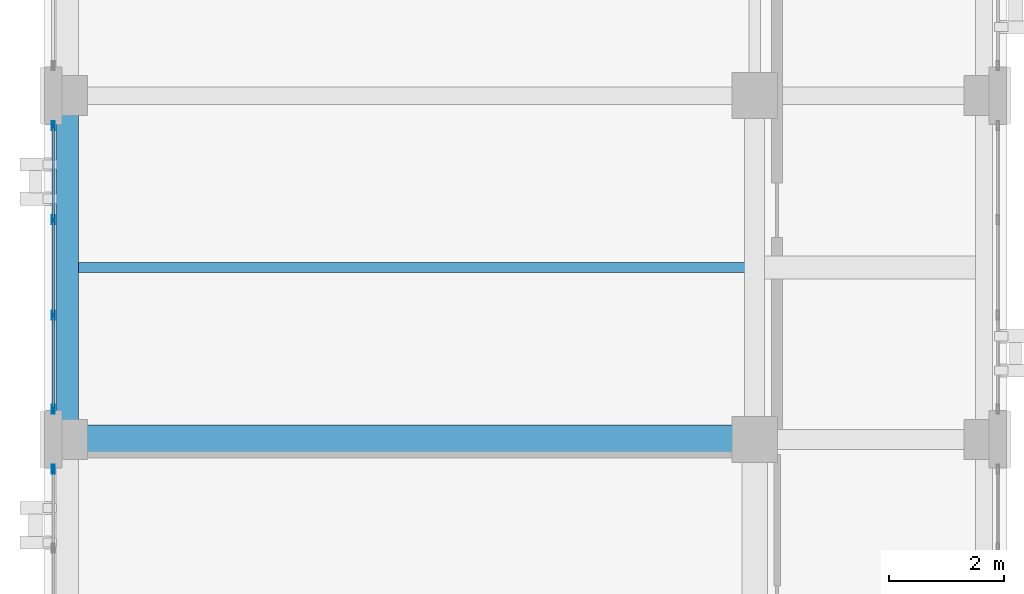
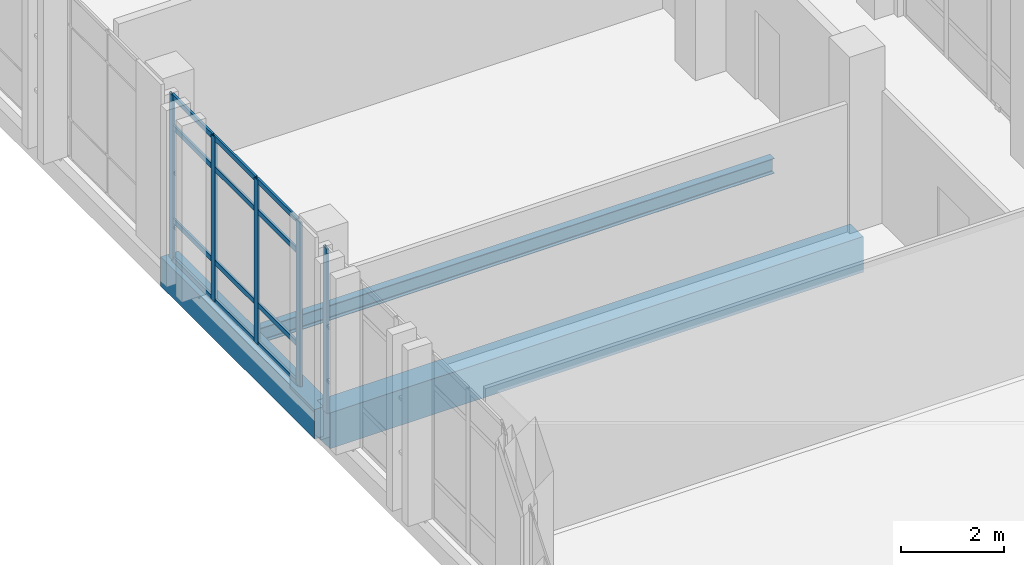
# One storey, part 72 of 193: 17 members, 3 beams, 2 elements without a shape of their own.
"""IFC4 building model written with IfcOpenShell, lengths in metres."""

from ifc_helpers import new_model, si_unit, direction, frame, origin, origin_2d, place, context, subcontext, project, spatial, rectangle, hollow_rectangle, i_section, extrude, material, layer, layer_set, material_profile, profile_set, type_object, element, aggregate, save


model = new_model("IFC4")

# Units and contexts
model_context = context("Model", 3, precision=1e-05, world=origin(), true_north=direction((0.0, 1.0)))
body_context = subcontext(model_context, "Body", "Model", "MODEL_VIEW")
ifc_project = project(units=[si_unit("LENGTHUNIT", "METRE"), si_unit("AREAUNIT", "SQUARE_METRE"), si_unit("VOLUMEUNIT", "CUBIC_METRE"), si_unit("PLANEANGLEUNIT", "RADIAN"), si_unit("MASSUNIT", "GRAM", prefix="KILO")], contexts=[model_context])

# Site, building, storey
site_placement = place(None, origin())
site = spatial("IfcSite", under=ifc_project, at=site_placement, CompositionType="ELEMENT")
building_placement = place(site_placement, origin())
building = spatial("IfcBuilding", under=site, at=building_placement, Name="Qalavern Law Courts", CompositionType="ELEMENT")
storey_placement = place(building_placement, frame((0.0, 0.0, 10.199951171875)))
storey = spatial("IfcBuildingStorey", under=building, at=storey_placement, Name="L02", CompositionType="ELEMENT", Elevation=10.199951171875)

# Curtain wall, members
ifc_material_1 = material(Name="Anodised aluminium and insulated glazing", Category="aluminium")
ifc_layer = layer(ifc_material_1, 0.172119140625)
ifc_layer_set = layer_set([ifc_layer], Name="Anodised aluminium and insulated glazing")
curtain_wall_type = type_object("IfcCurtainWallType", Name="ENV-CW-COURT", PredefinedType="USERDEFINED", material=ifc_layer_set)
curtain_wall_1_placement = place(storey_placement, origin())
curtain_wall_1 = element("IfcCurtainWall", 1, at=curtain_wall_1_placement, inside=storey, type_object=curtain_wall_type, Name="V3 unitised curtain wall L02 west 3", ObjectType="UNITISED CURTAIN WALL", PredefinedType="USERDEFINED")
ifc_material_2 = material(Name="Anodised aluminium", Category="aluminium")
ifc_material_profile_1 = material_profile(ifc_material_2, hollow_rectangle(XDim=0.048095703125, YDim=0.159912109375, WallThickness=0.00390625, at=origin_2d()), Name="ALU MULLION 48x160")
ifc_profile_set_1 = profile_set([ifc_material_profile_1], Name="Anodised aluminium")
member_type_1 = type_object("IfcMemberType", Name="ENV-CWM-48x160", PredefinedType="MULLION", material=ifc_profile_set_1)
member_1_placement = place(storey_placement, frame((2.155029296875, 78.8759765625, 0.0), z_axis=(0.0, 0.0, 1.0), x_axis=(1.0, 0.0, 0.0)))
member_1 = element("IfcMember", 2, at=member_1_placement, type_object=member_type_1, Name="CW-03 mullion 1", PredefinedType="MULLION", context=body_context, shape_type="SweptSolid", body=[
    extrude(hollow_rectangle(XDim=0.048095703125, YDim=0.159912109375, WallThickness=0.00390625, at=origin_2d()), origin(), (0.0, 0.0, 1.0), 3.9150390625),
])
member_2_placement = place(storey_placement, frame((2.155029296875, 77.2333984375, 0.0), z_axis=(0.0, 0.0, 1.0), x_axis=(1.0, 0.0, 0.0)))
member_2 = element("IfcMember", 3, at=member_2_placement, type_object=member_type_1, Name="CW-03 mullion 2", PredefinedType="MULLION", context=body_context, shape_type="SweptSolid", body=[
    extrude(hollow_rectangle(XDim=0.048095703125, YDim=0.159912109375, WallThickness=0.00390625, at=origin_2d()), origin(), (0.0, 0.0, 1.0), 3.9150390625),
])
member_3_placement = place(storey_placement, frame((2.155029296875, 75.566650390625, 0.0), z_axis=(0.0, 0.0, 1.0), x_axis=(1.0, 0.0, 0.0)))
member_3 = element("IfcMember", 4, at=member_3_placement, type_object=member_type_1, Name="CW-03 mullion 3", PredefinedType="MULLION", context=body_context, shape_type="SweptSolid", body=[
    extrude(hollow_rectangle(XDim=0.048095703125, YDim=0.159912109375, WallThickness=0.00390625, at=origin_2d()), origin(), (0.0, 0.0, 1.0), 3.9150390625),
])
member_4_placement = place(storey_placement, frame((2.155029296875, 73.924072265625, 0.0), z_axis=(0.0, 0.0, 1.0), x_axis=(1.0, 0.0, 0.0)))
member_4 = element("IfcMember", 5, at=member_4_placement, type_object=member_type_1, Name="CW-03 mullion 4", PredefinedType="MULLION", context=body_context, shape_type="SweptSolid", body=[
    extrude(hollow_rectangle(XDim=0.048095703125, YDim=0.159912109375, WallThickness=0.00390625, at=origin_2d()), origin(), (0.0, 0.0, 1.0), 3.9150390625),
])

# Curtain wall, member
curtain_wall_2_placement = place(storey_placement, origin())
curtain_wall_2 = element("IfcCurtainWall", 6, at=curtain_wall_2_placement, inside=storey, type_object=curtain_wall_type, Name="V3 unitised curtain wall L02 west 4", ObjectType="UNITISED CURTAIN WALL", PredefinedType="USERDEFINED")
member_5_placement = place(storey_placement, frame((2.155029296875, 72.8759765625, 0.0), z_axis=(0.0, 0.0, 1.0), x_axis=(1.0, 0.0, 0.0)))
member_5 = element("IfcMember", 7, at=member_5_placement, type_object=member_type_1, Name="CW-03 mullion 1", PredefinedType="MULLION", context=body_context, shape_type="SweptSolid", body=[
    extrude(hollow_rectangle(XDim=0.048095703125, YDim=0.159912109375, WallThickness=0.00390625, at=origin_2d()), origin(), (0.0, 0.0, 1.0), 3.9150390625),
])
aggregate(curtain_wall_2, [member_5])

# Member
ifc_material_profile_2 = material_profile(ifc_material_2, hollow_rectangle(XDim=0.048095703125, YDim=0.1201171875, WallThickness=0.00390625, at=origin_2d()), Name="ALU TRANSOM 48x120")
ifc_profile_set_2 = profile_set([ifc_material_profile_2], Name="Anodised aluminium")
member_type_2 = type_object("IfcMemberType", Name="ENV-CWT-48x120", PredefinedType="USERDEFINED", material=ifc_profile_set_2)
member_6_placement = place(storey_placement, frame((2.155029296875, 78.85205078125, 0.024169921875), z_axis=(0.0, -1.0, 0.0), x_axis=(1.0, 0.0, 0.0)))
member_6 = element("IfcMember", 8, at=member_6_placement, type_object=member_type_2, Name="CW-03 transom 1.1", ObjectType="TRANSOM", PredefinedType="USERDEFINED", context=body_context, shape_type="SweptSolid", body=[
    extrude(hollow_rectangle(XDim=0.048095703125, YDim=0.1201171875, WallThickness=0.00390625, at=origin_2d()), origin(), (0.0, 0.0, 1.0), 1.5947265625),
])

member_7_placement = place(storey_placement, frame((2.155029296875, 78.85205078125, 0.949951171875), z_axis=(0.0, -1.0, 0.0), x_axis=(1.0, 0.0, 0.0)))
member_7 = element("IfcMember", 9, at=member_7_placement, type_object=member_type_2, Name="CW-03 transom 1.2", ObjectType="TRANSOM", PredefinedType="USERDEFINED", context=body_context, shape_type="SweptSolid", body=[
    extrude(hollow_rectangle(XDim=0.048095703125, YDim=0.1201171875, WallThickness=0.00390625, at=origin_2d()), origin(), (0.0, 0.0, 1.0), 1.5947265625),
])

member_8_placement = place(storey_placement, frame((2.155029296875, 78.85205078125, 3.1650390625), z_axis=(0.0, -1.0, 0.0), x_axis=(1.0, 0.0, 0.0)))
member_8 = element("IfcMember", 10, at=member_8_placement, type_object=member_type_2, Name="CW-03 transom 1.3", ObjectType="TRANSOM", PredefinedType="USERDEFINED", context=body_context, shape_type="SweptSolid", body=[
    extrude(hollow_rectangle(XDim=0.048095703125, YDim=0.1201171875, WallThickness=0.00390625, at=origin_2d()), origin(), (0.0, 0.0, 1.0), 1.5947265625),
])

member_9_placement = place(storey_placement, frame((2.155029296875, 78.85205078125, 3.89111328125), z_axis=(0.0, -1.0, 0.0), x_axis=(1.0, 0.0, 0.0)))
member_9 = element("IfcMember", 11, at=member_9_placement, type_object=member_type_2, Name="CW-03 transom 1.4", ObjectType="TRANSOM", PredefinedType="USERDEFINED", context=body_context, shape_type="SweptSolid", body=[
    extrude(hollow_rectangle(XDim=0.048095703125, YDim=0.1201171875, WallThickness=0.00390625, at=origin_2d()), origin(), (0.0, 0.0, 1.0), 1.5947265625),
])

member_10_placement = place(storey_placement, frame((2.155029296875, 77.209228515625, 0.024169921875), z_axis=(0.0, -1.0, 0.0), x_axis=(1.0, 0.0, 0.0)))
member_10 = element("IfcMember", 12, at=member_10_placement, type_object=member_type_2, Name="CW-03 transom 2.1", ObjectType="TRANSOM", PredefinedType="USERDEFINED", context=body_context, shape_type="SweptSolid", body=[
    extrude(hollow_rectangle(XDim=0.048095703125, YDim=0.1201171875, WallThickness=0.00390625, at=origin_2d()), origin(), (0.0, 0.0, 1.0), 1.61865234375),
])

member_11_placement = place(storey_placement, frame((2.155029296875, 77.209228515625, 0.949951171875), z_axis=(0.0, -1.0, 0.0), x_axis=(1.0, 0.0, 0.0)))
member_11 = element("IfcMember", 13, at=member_11_placement, type_object=member_type_2, Name="CW-03 transom 2.2", ObjectType="TRANSOM", PredefinedType="USERDEFINED", context=body_context, shape_type="SweptSolid", body=[
    extrude(hollow_rectangle(XDim=0.048095703125, YDim=0.1201171875, WallThickness=0.00390625, at=origin_2d()), origin(), (0.0, 0.0, 1.0), 1.61865234375),
])

member_12_placement = place(storey_placement, frame((2.155029296875, 77.209228515625, 3.1650390625), z_axis=(0.0, -1.0, 0.0), x_axis=(1.0, 0.0, 0.0)))
member_12 = element("IfcMember", 14, at=member_12_placement, type_object=member_type_2, Name="CW-03 transom 2.3", ObjectType="TRANSOM", PredefinedType="USERDEFINED", context=body_context, shape_type="SweptSolid", body=[
    extrude(hollow_rectangle(XDim=0.048095703125, YDim=0.1201171875, WallThickness=0.00390625, at=origin_2d()), origin(), (0.0, 0.0, 1.0), 1.61865234375),
])

member_13_placement = place(storey_placement, frame((2.155029296875, 77.209228515625, 3.89111328125), z_axis=(0.0, -1.0, 0.0), x_axis=(1.0, 0.0, 0.0)))
member_13 = element("IfcMember", 15, at=member_13_placement, type_object=member_type_2, Name="CW-03 transom 2.4", ObjectType="TRANSOM", PredefinedType="USERDEFINED", context=body_context, shape_type="SweptSolid", body=[
    extrude(hollow_rectangle(XDim=0.048095703125, YDim=0.1201171875, WallThickness=0.00390625, at=origin_2d()), origin(), (0.0, 0.0, 1.0), 1.61865234375),
])

member_14_placement = place(storey_placement, frame((2.155029296875, 75.542724609375, 0.024169921875), z_axis=(0.0, -1.0, 0.0), x_axis=(1.0, 0.0, 0.0)))
member_14 = element("IfcMember", 16, at=member_14_placement, type_object=member_type_2, Name="CW-03 transom 3.1", ObjectType="TRANSOM", PredefinedType="USERDEFINED", context=body_context, shape_type="SweptSolid", body=[
    extrude(hollow_rectangle(XDim=0.048095703125, YDim=0.1201171875, WallThickness=0.00390625, at=origin_2d()), origin(), (0.0, 0.0, 1.0), 1.5947265625),
])

member_15_placement = place(storey_placement, frame((2.155029296875, 75.542724609375, 0.949951171875), z_axis=(0.0, -1.0, 0.0), x_axis=(1.0, 0.0, 0.0)))
member_15 = element("IfcMember", 17, at=member_15_placement, type_object=member_type_2, Name="CW-03 transom 3.2", ObjectType="TRANSOM", PredefinedType="USERDEFINED", context=body_context, shape_type="SweptSolid", body=[
    extrude(hollow_rectangle(XDim=0.048095703125, YDim=0.1201171875, WallThickness=0.00390625, at=origin_2d()), origin(), (0.0, 0.0, 1.0), 1.5947265625),
])

member_16_placement = place(storey_placement, frame((2.155029296875, 75.542724609375, 3.1650390625), z_axis=(0.0, -1.0, 0.0), x_axis=(1.0, 0.0, 0.0)))
member_16 = element("IfcMember", 18, at=member_16_placement, type_object=member_type_2, Name="CW-03 transom 3.3", ObjectType="TRANSOM", PredefinedType="USERDEFINED", context=body_context, shape_type="SweptSolid", body=[
    extrude(hollow_rectangle(XDim=0.048095703125, YDim=0.1201171875, WallThickness=0.00390625, at=origin_2d()), origin(), (0.0, 0.0, 1.0), 1.5947265625),
])

member_17_placement = place(storey_placement, frame((2.155029296875, 75.542724609375, 3.89111328125), z_axis=(0.0, -1.0, 0.0), x_axis=(1.0, 0.0, 0.0)))
member_17 = element("IfcMember", 19, at=member_17_placement, type_object=member_type_2, Name="CW-03 transom 3.4", ObjectType="TRANSOM", PredefinedType="USERDEFINED", context=body_context, shape_type="SweptSolid", body=[
    extrude(hollow_rectangle(XDim=0.048095703125, YDim=0.1201171875, WallThickness=0.00390625, at=origin_2d()), origin(), (0.0, 0.0, 1.0), 1.5947265625),
])

aggregate(curtain_wall_1, [member_1, member_2, member_3, member_4, member_6, member_7, member_8, member_9, member_10, member_11, member_12, member_13, member_14, member_15, member_16, member_17])

# Beams
ifc_material_3 = material(Name="Concrete C40/50", Category="concrete")
ifc_material_profile_3 = material_profile(ifc_material_3, rectangle(XDim=0.5, YDim=0.85009765625, at=origin_2d()), Name="RC 500x850")
ifc_profile_set_3 = profile_set([ifc_material_profile_3], Name="Concrete C40/50")
beam_type_1 = type_object("IfcBeamType", Name="STR-BM-RC500x850", PredefinedType="BEAM", material=ifc_profile_set_3)
beam_1_placement = place(storey_placement, frame((2.39990234375, 73.39990234375, -0.71484375), z_axis=(1.0, 0.0, 0.0), x_axis=(0.0, 1.0, 0.0)))
element("IfcBeam", 20, at=beam_1_placement, inside=storey, type_object=beam_type_1, Name="V3 X-beam 5-1 L02", PredefinedType="BEAM", context=body_context, shape_type="SweptSolid", body=[
    extrude(rectangle(XDim=0.5, YDim=0.85009765625, at=origin_2d()), origin(), (0.0, 0.0, 1.0), 12.0),
])
ifc_material_4 = material(Name="Steel S355", Category="steel")
ifc_material_profile_4 = material_profile(ifc_material_4, i_section(OverallWidth=0.169921875, OverallDepth=0.360107421875, WebThickness=0.008056640625, FlangeThickness=0.0126953125, FilletRadius=0.01806640625, at=origin_2d()), Name="IPE 360")
ifc_profile_set_4 = profile_set([ifc_material_profile_4], Name="Steel S355")
beam_type_2 = type_object("IfcBeamType", Name="STR-JST-IPE360", PredefinedType="JOIST", material=ifc_profile_set_4)
beam_2_placement = place(storey_placement, frame((2.597900390625, 76.39990234375, -0.469970703125), z_axis=(1.0, 0.0, 0.0), x_axis=(0.0, 1.0, 0.0)))
element("IfcBeam", 21, at=beam_2_placement, inside=storey, type_object=beam_type_2, Name="V3 secondary joist 1.5.1 L02", PredefinedType="JOIST", context=body_context, shape_type="SweptSolid", body=[
    extrude(i_section(OverallWidth=0.169921875, OverallDepth=0.360107421875, WebThickness=0.008056640625, FlangeThickness=0.0126953125, FilletRadius=0.01806640625, at=origin_2d()), origin(), (0.0, 0.0, 1.0), 11.629150390625),
])
ifc_material_profile_5 = material_profile(ifc_material_3, rectangle(XDim=0.39990234375, YDim=0.699951171875, at=origin_2d()), Name="RC 400x700")
ifc_profile_set_5 = profile_set([ifc_material_profile_5], Name="Concrete C40/50")
beam_type_3 = type_object("IfcBeamType", Name="STR-SP-RC400x700", PredefinedType="SPANDREL", material=ifc_profile_set_5)
beam_3_placement = place(storey_placement, frame((2.39990234375, 73.39990234375, -0.639892578125), z_axis=(0.0, 1.0, 0.0), x_axis=(-1.0, 0.0, 0.0)))
element("IfcBeam", 22, at=beam_3_placement, inside=storey, type_object=beam_type_3, Name="V3 Y-beam 1-5 L02", PredefinedType="SPANDREL", context=body_context, shape_type="SweptSolid", body=[
    extrude(rectangle(XDim=0.39990234375, YDim=0.699951171875, at=origin_2d()), origin(), (0.0, 0.0, 1.0), 6.0),
])

save(model, "model.ifc")
